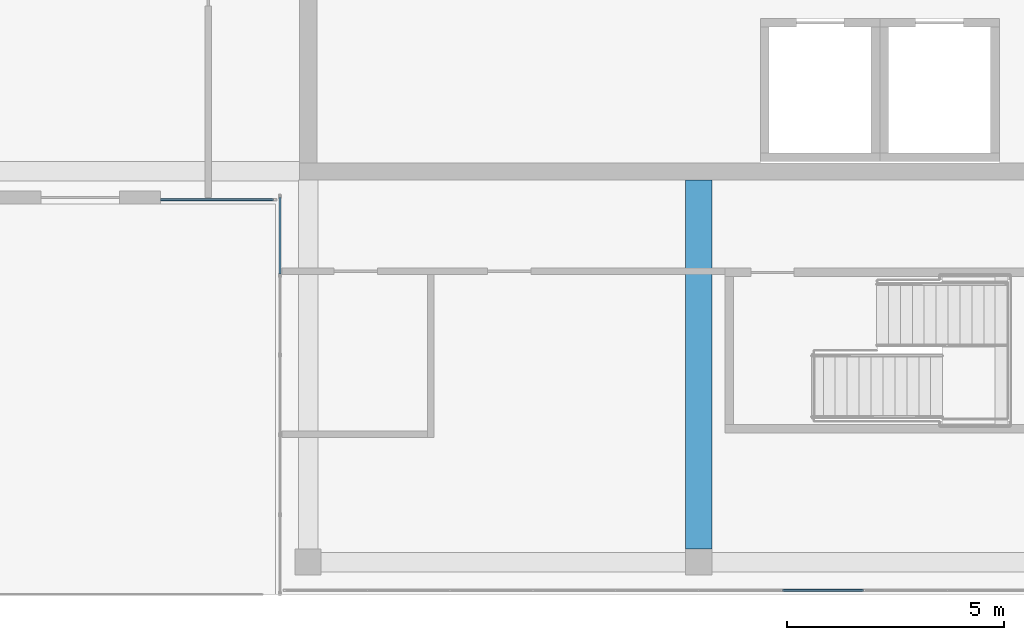
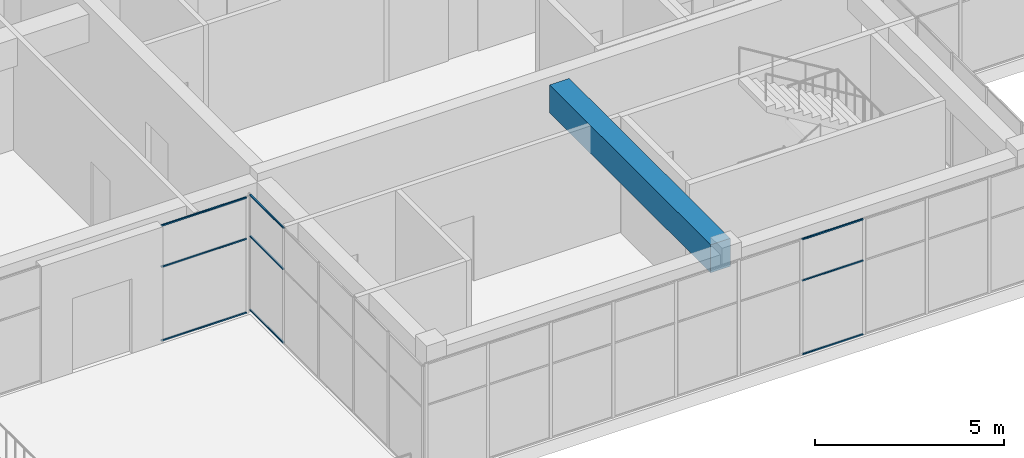
# One storey, part 5 of 32: 9 members, 1 beam, 3 elements without a shape of their own.
"""IFC4 building model written with IfcOpenShell, lengths in metres."""

from ifc_helpers import new_model, si_unit, direction, frame, origin, origin_2d, place, context, subcontext, project, spatial, rectangle, hollow_rectangle, extrude, material, layer, layer_set, material_profile, profile_set, type_object, element, aggregate, save


model = new_model("IFC4")

# Units and contexts
model_context = context("Model", 3, precision=1e-05, world=origin(), true_north=direction((0.0, 1.0)))
body_context = subcontext(model_context, "Body", "Model", "MODEL_VIEW")
ifc_project = project(units=[si_unit("LENGTHUNIT", "METRE"), si_unit("AREAUNIT", "SQUARE_METRE"), si_unit("VOLUMEUNIT", "CUBIC_METRE"), si_unit("PLANEANGLEUNIT", "RADIAN"), si_unit("MASSUNIT", "GRAM", prefix="KILO")], contexts=[model_context])

# Site, building, storey
site_placement = place(None, origin())
site = spatial("IfcSite", under=ifc_project, at=site_placement, CompositionType="ELEMENT")
building_placement = place(site_placement, origin())
building = spatial("IfcBuilding", under=site, at=building_placement, Name="Tuart Plaza Theatre", CompositionType="ELEMENT")
storey_placement = place(building_placement, frame((0.0, 0.0, 41.5)))
storey = spatial("IfcBuildingStorey", under=building, at=storey_placement, Name="L10", CompositionType="ELEMENT", Elevation=41.5)

# Beam
ifc_material_1 = material(Name="Concrete N40 (40 MPa)", Category="concrete")
ifc_material_profile_1 = material_profile(ifc_material_1, rectangle(XDim=0.60009765625, YDim=0.89990234375, at=origin_2d()), Name="BEAM 600x900 Concrete N40 (40 MPa)")
ifc_profile_set_1 = profile_set([ifc_material_profile_1], Name="Concrete N40 (40 MPa)")
beam_type = type_object("IfcBeamType", Name="BEAM 600x900 Concrete N40 (40 MPa)", PredefinedType="BEAM", material=ifc_profile_set_1)
beam_placement = place(storey_placement, frame((132.0, 56.300048828125, 3.300048828125), z_axis=(0.0, 1.0, 0.0), x_axis=(-1.0, 0.0, 0.0)))
element("IfcBeam", 1, at=beam_placement, inside=storey, type_object=beam_type, Name="RB300", PredefinedType="BEAM", context=body_context, shape_type="SweptSolid", body=[
    extrude(rectangle(XDim=0.60009765625, YDim=0.89990234375, at=origin_2d()), origin(), (0.0, 0.0, 1.0), 8.5),
])

# Curtain wall, members
ifc_material_2 = material(Name="Aluminium and glass", Category="aluminium")
ifc_layer = layer(ifc_material_2, 0.10009765625)
ifc_layer_set = layer_set([ifc_layer], Name="CURTAIN WALL 2000 module")
curtain_wall_type = type_object("IfcCurtainWallType", Name="CURTAIN WALL 2000 module", PredefinedType="NOTDEFINED", material=ifc_layer_set)
curtain_wall_1_placement = place(storey_placement, origin())
curtain_wall_1 = element("IfcCurtainWall", 2, at=curtain_wall_1_placement, inside=storey, type_object=curtain_wall_type, Name="CW109", PredefinedType="NOTDEFINED")
ifc_material_3 = material(Name="Aluminium 6063-T5", Category="aluminium")
ifc_material_profile_2 = material_profile(ifc_material_3, hollow_rectangle(XDim=0.050048828125, YDim=0.050048828125, WallThickness=0.00390625, InnerFilletRadius=0.00390625, OuterFilletRadius=0.008056640625, at=origin_2d()), Name="RHS 50x50x4")
ifc_profile_set_2 = profile_set([ifc_material_profile_2], Name="Aluminium 6063-T5")
member_type = type_object("IfcMemberType", Name="TRANSOM RHS 50x50x4", PredefinedType="USERDEFINED", material=ifc_profile_set_2)
member_1_placement = place(storey_placement, frame((119.60009765625, 64.35009765625, 0.02490234375), z_axis=(1.0, 0.0, 0.0), x_axis=(0.0, 1.0, 0.0)))
member_1 = element("IfcMember", 3, at=member_1_placement, type_object=member_type, Name="CW109 transom 1.1", ObjectType="TRANSOM", PredefinedType="USERDEFINED", context=body_context, shape_type="SweptSolid", body=[
    extrude(hollow_rectangle(XDim=0.050048828125, YDim=0.050048828125, WallThickness=0.00390625, InnerFilletRadius=0.00390625, OuterFilletRadius=0.008056640625, at=origin_2d()), origin(), (0.0, 0.0, 1.0), 2.599853515625),
])
member_2_placement = place(storey_placement, frame((119.60009765625, 64.35009765625, 2.39990234375), z_axis=(1.0, 0.0, 0.0), x_axis=(0.0, 1.0, 0.0)))
member_2 = element("IfcMember", 4, at=member_2_placement, type_object=member_type, Name="CW109 transom 1.2", ObjectType="TRANSOM", PredefinedType="USERDEFINED", context=body_context, shape_type="SweptSolid", body=[
    extrude(hollow_rectangle(XDim=0.050048828125, YDim=0.050048828125, WallThickness=0.00390625, InnerFilletRadius=0.00390625, OuterFilletRadius=0.008056640625, at=origin_2d()), origin(), (0.0, 0.0, 1.0), 2.599853515625),
])
member_3_placement = place(storey_placement, frame((119.60009765625, 64.35009765625, 3.72509765625), z_axis=(1.0, 0.0, 0.0), x_axis=(0.0, 1.0, 0.0)))
member_3 = element("IfcMember", 5, at=member_3_placement, type_object=member_type, Name="CW109 transom 1.3", ObjectType="TRANSOM", PredefinedType="USERDEFINED", context=body_context, shape_type="SweptSolid", body=[
    extrude(hollow_rectangle(XDim=0.050048828125, YDim=0.050048828125, WallThickness=0.00390625, InnerFilletRadius=0.00390625, OuterFilletRadius=0.008056640625, at=origin_2d()), origin(), (0.0, 0.0, 1.0), 2.599853515625),
])
aggregate(curtain_wall_1, [member_1, member_2, member_3])

curtain_wall_2_placement = place(storey_placement, origin())
curtain_wall_2 = element("IfcCurtainWall", 6, at=curtain_wall_2_placement, inside=storey, type_object=curtain_wall_type, Name="CW110", PredefinedType="NOTDEFINED")
member_4_placement = place(storey_placement, frame((122.35009765625, 64.39990234375, 0.02490234375), z_axis=(0.0, -1.0, 0.0), x_axis=(1.0, 0.0, 0.0)))
member_4 = element("IfcMember", 7, at=member_4_placement, type_object=member_type, Name="CW110 transom 1.1", ObjectType="TRANSOM", PredefinedType="USERDEFINED", context=body_context, shape_type="SweptSolid", body=[
    extrude(hollow_rectangle(XDim=0.050048828125, YDim=0.050048828125, WallThickness=0.00390625, InnerFilletRadius=0.00390625, OuterFilletRadius=0.008056640625, at=origin_2d()), origin(), (0.0, 0.0, 1.0), 1.764892578125),
])
member_5_placement = place(storey_placement, frame((122.35009765625, 64.39990234375, 2.39990234375), z_axis=(0.0, -1.0, 0.0), x_axis=(1.0, 0.0, 0.0)))
member_5 = element("IfcMember", 8, at=member_5_placement, type_object=member_type, Name="CW110 transom 1.2", ObjectType="TRANSOM", PredefinedType="USERDEFINED", context=body_context, shape_type="SweptSolid", body=[
    extrude(hollow_rectangle(XDim=0.050048828125, YDim=0.050048828125, WallThickness=0.00390625, InnerFilletRadius=0.00390625, OuterFilletRadius=0.008056640625, at=origin_2d()), origin(), (0.0, 0.0, 1.0), 1.764892578125),
])
member_6_placement = place(storey_placement, frame((122.35009765625, 64.39990234375, 3.72509765625), z_axis=(0.0, -1.0, 0.0), x_axis=(1.0, 0.0, 0.0)))
member_6 = element("IfcMember", 9, at=member_6_placement, type_object=member_type, Name="CW110 transom 1.3", ObjectType="TRANSOM", PredefinedType="USERDEFINED", context=body_context, shape_type="SweptSolid", body=[
    extrude(hollow_rectangle(XDim=0.050048828125, YDim=0.050048828125, WallThickness=0.00390625, InnerFilletRadius=0.00390625, OuterFilletRadius=0.008056640625, at=origin_2d()), origin(), (0.0, 0.0, 1.0), 1.764892578125),
])
aggregate(curtain_wall_2, [member_4, member_5, member_6])

curtain_wall_3_placement = place(storey_placement, origin())
curtain_wall_3 = element("IfcCurtainWall", 10, at=curtain_wall_3_placement, inside=storey, type_object=curtain_wall_type, Name="CW111", PredefinedType="NOTDEFINED")
member_7_placement = place(storey_placement, frame((133.93505859375, 55.35009765625, 0.02490234375), z_axis=(1.0, 0.0, 0.0), x_axis=(0.0, 1.0, 0.0)))
member_7 = element("IfcMember", 11, at=member_7_placement, type_object=member_type, Name="CW111 transom 7.1", ObjectType="TRANSOM", PredefinedType="USERDEFINED", context=body_context, shape_type="SweptSolid", body=[
    extrude(hollow_rectangle(XDim=0.050048828125, YDim=0.050048828125, WallThickness=0.00390625, InnerFilletRadius=0.00390625, OuterFilletRadius=0.008056640625, at=origin_2d()), origin(), (0.0, 0.0, 1.0), 1.85986328125),
])
member_8_placement = place(storey_placement, frame((133.93505859375, 55.35009765625, 2.39990234375), z_axis=(1.0, 0.0, 0.0), x_axis=(0.0, 1.0, 0.0)))
member_8 = element("IfcMember", 12, at=member_8_placement, type_object=member_type, Name="CW111 transom 7.2", ObjectType="TRANSOM", PredefinedType="USERDEFINED", context=body_context, shape_type="SweptSolid", body=[
    extrude(hollow_rectangle(XDim=0.050048828125, YDim=0.050048828125, WallThickness=0.00390625, InnerFilletRadius=0.00390625, OuterFilletRadius=0.008056640625, at=origin_2d()), origin(), (0.0, 0.0, 1.0), 1.85986328125),
])
member_9_placement = place(storey_placement, frame((133.93505859375, 55.35009765625, 3.72509765625), z_axis=(1.0, 0.0, 0.0), x_axis=(0.0, 1.0, 0.0)))
member_9 = element("IfcMember", 13, at=member_9_placement, type_object=member_type, Name="CW111 transom 7.3", ObjectType="TRANSOM", PredefinedType="USERDEFINED", context=body_context, shape_type="SweptSolid", body=[
    extrude(hollow_rectangle(XDim=0.050048828125, YDim=0.050048828125, WallThickness=0.00390625, InnerFilletRadius=0.00390625, OuterFilletRadius=0.008056640625, at=origin_2d()), origin(), (0.0, 0.0, 1.0), 1.85986328125),
])
aggregate(curtain_wall_3, [member_7, member_8, member_9])

save(model, "model.ifc")
